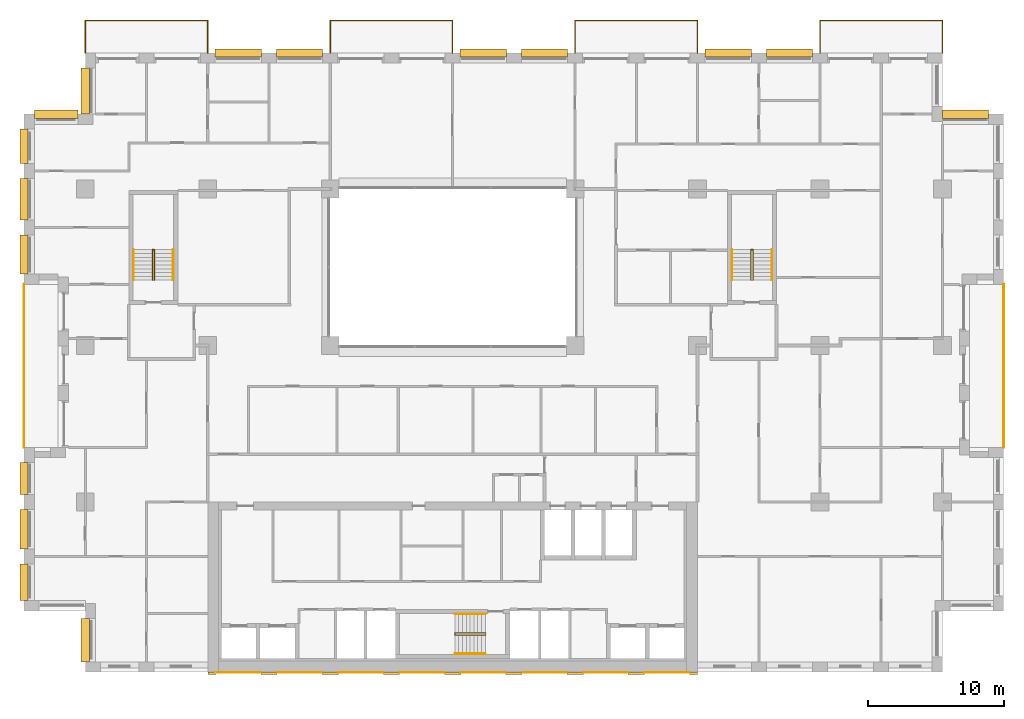
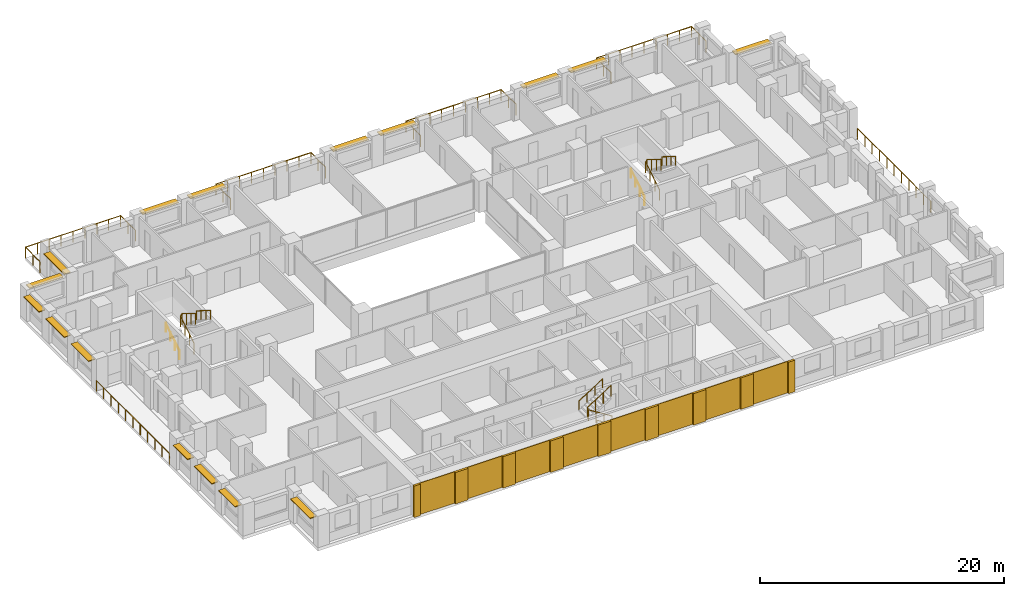
# One storey, part 16 of 16: 17 coverings, 16 shading devices, 15 railings.
"""IFC4 building model written with IfcOpenShell, lengths in metres."""

from ifc_helpers import new_model, si_unit, direction, frame, origin, origin_2d, place, context, subcontext, project, spatial, rectangle, circle, extrude, material, layer, layer_set, type_object, element, save


model = new_model("IFC4")

# Units and contexts
model_context = context("Model", 3, precision=1e-05, world=origin(), true_north=direction((0.0, 1.0)))
body_context = subcontext(model_context, "Body", "Model", "MODEL_VIEW")
ifc_project = project(units=[si_unit("LENGTHUNIT", "METRE"), si_unit("AREAUNIT", "SQUARE_METRE"), si_unit("VOLUMEUNIT", "CUBIC_METRE"), si_unit("PLANEANGLEUNIT", "RADIAN"), si_unit("MASSUNIT", "GRAM", prefix="KILO")], contexts=[model_context])

# Site, building, storey
site_placement = place(None, origin())
site = spatial("IfcSite", under=ifc_project, at=site_placement, CompositionType="ELEMENT")
building_placement = place(site_placement, origin())
building = spatial("IfcBuilding", under=site, at=building_placement, Name="Brigalow Station Residences", CompositionType="ELEMENT")
storey_placement = place(building_placement, frame((0.0, 0.0, 89.85009765625)))
storey = spatial("IfcBuildingStorey", under=building, at=storey_placement, Name="L25", CompositionType="ELEMENT", Elevation=89.85009765625)

# Railings
ifc_material_1 = material(Name="Stainless steel balustrade with laminated glass infill", Category="steel")
railing_type_1 = type_object("IfcRailingType", Name="BALCONY GUARD 1100", PredefinedType="GUARDRAIL", material=ifc_material_1)
railing_1_placement = place(storey_placement, frame((76.5, 16.5, -0.0400390625)))
element("IfcRailing", 1, at=railing_1_placement, inside=storey, type_object=railing_type_1, Name="L25/balcony-guard/1", PredefinedType="GUARDRAIL", context=body_context, shape_type="SweptSolid", body=[
    extrude(circle(Radius=0.02392578125, at=origin_2d()), frame((0.0, 0.0, 1.076171875), z_axis=(0.0, 1.0, 0.0), x_axis=(-1.0, 0.0, 0.0)), (0.0, 0.0, 1.0), 12.0),
    extrude(circle(Radius=0.02099609375, at=origin_2d()), origin(), (0.0, 0.0, 1.0), 1.052001953125),
    extrude(circle(Radius=0.02099609375, at=origin_2d()), frame((0.0, 1.199951171875, 0.0)), (0.0, 0.0, 1.0), 1.052001953125),
    extrude(circle(Radius=0.02099609375, at=origin_2d()), frame((0.0, 2.39990234375, 0.0)), (0.0, 0.0, 1.0), 1.052001953125),
    extrude(circle(Radius=0.02099609375, at=origin_2d()), frame((0.0, 3.60009765625, 0.0)), (0.0, 0.0, 1.0), 1.052001953125),
    extrude(circle(Radius=0.02099609375, at=origin_2d()), frame((0.0, 4.800048828125, 0.0)), (0.0, 0.0, 1.0), 1.052001953125),
    extrude(circle(Radius=0.02099609375, at=origin_2d()), frame((0.0, 6.0, 0.0)), (0.0, 0.0, 1.0), 1.052001953125),
    extrude(circle(Radius=0.02099609375, at=origin_2d()), frame((0.0, 7.199951171875, 0.0)), (0.0, 0.0, 1.0), 1.052001953125),
    extrude(circle(Radius=0.02099609375, at=origin_2d()), frame((0.0, 8.39990234375, 0.0)), (0.0, 0.0, 1.0), 1.052001953125),
    extrude(circle(Radius=0.02099609375, at=origin_2d()), frame((0.0, 9.60009765625, 0.0)), (0.0, 0.0, 1.0), 1.052001953125),
    extrude(circle(Radius=0.02099609375, at=origin_2d()), frame((0.0, 10.800048828125, 0.0)), (0.0, 0.0, 1.0), 1.052001953125),
    extrude(circle(Radius=0.02099609375, at=origin_2d()), frame((0.0, 12.0, 0.0)), (0.0, 0.0, 1.0), 1.052001953125),
])
railing_2_placement = place(storey_placement, frame((72.0, 45.5, -0.0400390625)))
element("IfcRailing", 2, at=railing_2_placement, inside=storey, type_object=railing_type_1, Name="L25/balcony-guard/2", PredefinedType="GUARDRAIL", context=body_context, shape_type="SweptSolid", body=[
    extrude(circle(Radius=0.02392578125, at=origin_2d()), frame((0.0, 0.0, 1.076171875), z_axis=(0.0, 1.0, 0.0), x_axis=(-1.0, 0.0, 0.0)), (0.0, 0.0, 1.0), 2.39990234375),
    extrude(circle(Radius=0.02392578125, at=origin_2d()), frame((0.0, 2.39990234375, 1.076171875), z_axis=(-1.0, 0.0, 0.0), x_axis=(0.0, -1.0, 0.0)), (0.0, 0.0, 1.0), 9.0),
    extrude(circle(Radius=0.02392578125, at=origin_2d()), frame((-9.0, 2.39990234375, 1.076171875), z_axis=(0.0, -1.0, 0.0), x_axis=(1.0, 0.0, 0.0)), (0.0, 0.0, 1.0), 2.39990234375),
    extrude(circle(Radius=0.02099609375, at=origin_2d()), origin(), (0.0, 0.0, 1.0), 1.052001953125),
    extrude(circle(Radius=0.02099609375, at=origin_2d()), frame((0.0, 1.199951171875, 0.0)), (0.0, 0.0, 1.0), 1.052001953125),
    extrude(circle(Radius=0.02099609375, at=origin_2d()), frame((0.0, 2.39990234375, 0.0)), (0.0, 0.0, 1.0), 1.052001953125),
    extrude(circle(Radius=0.02099609375, at=origin_2d()), frame((-1.125, 2.39990234375, 0.0)), (0.0, 0.0, 1.0), 1.052001953125),
    extrude(circle(Radius=0.02099609375, at=origin_2d()), frame((-2.25, 2.39990234375, 0.0)), (0.0, 0.0, 1.0), 1.052001953125),
    extrude(circle(Radius=0.02099609375, at=origin_2d()), frame((-3.375, 2.39990234375, 0.0)), (0.0, 0.0, 1.0), 1.052001953125),
    extrude(circle(Radius=0.02099609375, at=origin_2d()), frame((-4.5, 2.39990234375, 0.0)), (0.0, 0.0, 1.0), 1.052001953125),
    extrude(circle(Radius=0.02099609375, at=origin_2d()), frame((-5.625, 2.39990234375, 0.0)), (0.0, 0.0, 1.0), 1.052001953125),
    extrude(circle(Radius=0.02099609375, at=origin_2d()), frame((-6.75, 2.39990234375, 0.0)), (0.0, 0.0, 1.0), 1.052001953125),
    extrude(circle(Radius=0.02099609375, at=origin_2d()), frame((-7.875, 2.39990234375, 0.0)), (0.0, 0.0, 1.0), 1.052001953125),
    extrude(circle(Radius=0.02099609375, at=origin_2d()), frame((-9.0, 2.39990234375, 0.0)), (0.0, 0.0, 1.0), 1.052001953125),
    extrude(circle(Radius=0.02099609375, at=origin_2d()), frame((-9.0, 1.199951171875, 0.0)), (0.0, 0.0, 1.0), 1.052001953125),
    extrude(circle(Radius=0.02099609375, at=origin_2d()), frame((-9.0, 0.0, 0.0)), (0.0, 0.0, 1.0), 1.052001953125),
])
railing_3_placement = place(storey_placement, frame((54.0, 45.5, -0.0400390625)))
element("IfcRailing", 3, at=railing_3_placement, inside=storey, type_object=railing_type_1, Name="L25/balcony-guard/3", PredefinedType="GUARDRAIL", context=body_context, shape_type="SweptSolid", body=[
    extrude(circle(Radius=0.02392578125, at=origin_2d()), frame((0.0, 0.0, 1.076171875), z_axis=(0.0, 1.0, 0.0), x_axis=(-1.0, 0.0, 0.0)), (0.0, 0.0, 1.0), 2.39990234375),
    extrude(circle(Radius=0.02392578125, at=origin_2d()), frame((0.0, 2.39990234375, 1.076171875), z_axis=(-1.0, 0.0, 0.0), x_axis=(0.0, -1.0, 0.0)), (0.0, 0.0, 1.0), 9.0),
    extrude(circle(Radius=0.02392578125, at=origin_2d()), frame((-9.0, 2.39990234375, 1.076171875), z_axis=(0.0, -1.0, 0.0), x_axis=(1.0, 0.0, 0.0)), (0.0, 0.0, 1.0), 2.39990234375),
    extrude(circle(Radius=0.02099609375, at=origin_2d()), origin(), (0.0, 0.0, 1.0), 1.052001953125),
    extrude(circle(Radius=0.02099609375, at=origin_2d()), frame((0.0, 1.199951171875, 0.0)), (0.0, 0.0, 1.0), 1.052001953125),
    extrude(circle(Radius=0.02099609375, at=origin_2d()), frame((0.0, 2.39990234375, 0.0)), (0.0, 0.0, 1.0), 1.052001953125),
    extrude(circle(Radius=0.02099609375, at=origin_2d()), frame((-1.125, 2.39990234375, 0.0)), (0.0, 0.0, 1.0), 1.052001953125),
    extrude(circle(Radius=0.02099609375, at=origin_2d()), frame((-2.25, 2.39990234375, 0.0)), (0.0, 0.0, 1.0), 1.052001953125),
    extrude(circle(Radius=0.02099609375, at=origin_2d()), frame((-3.375, 2.39990234375, 0.0)), (0.0, 0.0, 1.0), 1.052001953125),
    extrude(circle(Radius=0.02099609375, at=origin_2d()), frame((-4.5, 2.39990234375, 0.0)), (0.0, 0.0, 1.0), 1.052001953125),
    extrude(circle(Radius=0.02099609375, at=origin_2d()), frame((-5.625, 2.39990234375, 0.0)), (0.0, 0.0, 1.0), 1.052001953125),
    extrude(circle(Radius=0.02099609375, at=origin_2d()), frame((-6.75, 2.39990234375, 0.0)), (0.0, 0.0, 1.0), 1.052001953125),
    extrude(circle(Radius=0.02099609375, at=origin_2d()), frame((-7.875, 2.39990234375, 0.0)), (0.0, 0.0, 1.0), 1.052001953125),
    extrude(circle(Radius=0.02099609375, at=origin_2d()), frame((-9.0, 2.39990234375, 0.0)), (0.0, 0.0, 1.0), 1.052001953125),
    extrude(circle(Radius=0.02099609375, at=origin_2d()), frame((-9.0, 1.199951171875, 0.0)), (0.0, 0.0, 1.0), 1.052001953125),
    extrude(circle(Radius=0.02099609375, at=origin_2d()), frame((-9.0, 0.0, 0.0)), (0.0, 0.0, 1.0), 1.052001953125),
])
railing_4_placement = place(storey_placement, frame((36.0, 45.5, -0.0400390625)))
element("IfcRailing", 4, at=railing_4_placement, inside=storey, type_object=railing_type_1, Name="L25/balcony-guard/4", PredefinedType="GUARDRAIL", context=body_context, shape_type="SweptSolid", body=[
    extrude(circle(Radius=0.02392578125, at=origin_2d()), frame((0.0, 0.0, 1.076171875), z_axis=(0.0, 1.0, 0.0), x_axis=(-1.0, 0.0, 0.0)), (0.0, 0.0, 1.0), 2.39990234375),
    extrude(circle(Radius=0.02392578125, at=origin_2d()), frame((0.0, 2.39990234375, 1.076171875), z_axis=(-1.0, 0.0, 0.0), x_axis=(0.0, -1.0, 0.0)), (0.0, 0.0, 1.0), 9.0),
    extrude(circle(Radius=0.02392578125, at=origin_2d()), frame((-9.0, 2.39990234375, 1.076171875), z_axis=(0.0, -1.0, 0.0), x_axis=(1.0, 0.0, 0.0)), (0.0, 0.0, 1.0), 2.39990234375),
    extrude(circle(Radius=0.02099609375, at=origin_2d()), origin(), (0.0, 0.0, 1.0), 1.052001953125),
    extrude(circle(Radius=0.02099609375, at=origin_2d()), frame((0.0, 1.199951171875, 0.0)), (0.0, 0.0, 1.0), 1.052001953125),
    extrude(circle(Radius=0.02099609375, at=origin_2d()), frame((0.0, 2.39990234375, 0.0)), (0.0, 0.0, 1.0), 1.052001953125),
    extrude(circle(Radius=0.02099609375, at=origin_2d()), frame((-1.125, 2.39990234375, 0.0)), (0.0, 0.0, 1.0), 1.052001953125),
    extrude(circle(Radius=0.02099609375, at=origin_2d()), frame((-2.25, 2.39990234375, 0.0)), (0.0, 0.0, 1.0), 1.052001953125),
    extrude(circle(Radius=0.02099609375, at=origin_2d()), frame((-3.375, 2.39990234375, 0.0)), (0.0, 0.0, 1.0), 1.052001953125),
    extrude(circle(Radius=0.02099609375, at=origin_2d()), frame((-4.5, 2.39990234375, 0.0)), (0.0, 0.0, 1.0), 1.052001953125),
    extrude(circle(Radius=0.02099609375, at=origin_2d()), frame((-5.625, 2.39990234375, 0.0)), (0.0, 0.0, 1.0), 1.052001953125),
    extrude(circle(Radius=0.02099609375, at=origin_2d()), frame((-6.75, 2.39990234375, 0.0)), (0.0, 0.0, 1.0), 1.052001953125),
    extrude(circle(Radius=0.02099609375, at=origin_2d()), frame((-7.875, 2.39990234375, 0.0)), (0.0, 0.0, 1.0), 1.052001953125),
    extrude(circle(Radius=0.02099609375, at=origin_2d()), frame((-9.0, 2.39990234375, 0.0)), (0.0, 0.0, 1.0), 1.052001953125),
    extrude(circle(Radius=0.02099609375, at=origin_2d()), frame((-9.0, 1.199951171875, 0.0)), (0.0, 0.0, 1.0), 1.052001953125),
    extrude(circle(Radius=0.02099609375, at=origin_2d()), frame((-9.0, 0.0, 0.0)), (0.0, 0.0, 1.0), 1.052001953125),
])
railing_5_placement = place(storey_placement, frame((18.0, 45.5, -0.0400390625)))
element("IfcRailing", 5, at=railing_5_placement, inside=storey, type_object=railing_type_1, Name="L25/balcony-guard/5", PredefinedType="GUARDRAIL", context=body_context, shape_type="SweptSolid", body=[
    extrude(circle(Radius=0.02392578125, at=origin_2d()), frame((0.0, 0.0, 1.076171875), z_axis=(0.0, 1.0, 0.0), x_axis=(-1.0, 0.0, 0.0)), (0.0, 0.0, 1.0), 2.39990234375),
    extrude(circle(Radius=0.02392578125, at=origin_2d()), frame((0.0, 2.39990234375, 1.076171875), z_axis=(-1.0, 0.0, 0.0), x_axis=(0.0, -1.0, 0.0)), (0.0, 0.0, 1.0), 9.0),
    extrude(circle(Radius=0.02392578125, at=origin_2d()), frame((-9.0, 2.39990234375, 1.076171875), z_axis=(0.0, -1.0, 0.0), x_axis=(1.0, 0.0, 0.0)), (0.0, 0.0, 1.0), 2.39990234375),
    extrude(circle(Radius=0.02099609375, at=origin_2d()), origin(), (0.0, 0.0, 1.0), 1.052001953125),
    extrude(circle(Radius=0.02099609375, at=origin_2d()), frame((0.0, 1.199951171875, 0.0)), (0.0, 0.0, 1.0), 1.052001953125),
    extrude(circle(Radius=0.02099609375, at=origin_2d()), frame((0.0, 2.39990234375, 0.0)), (0.0, 0.0, 1.0), 1.052001953125),
    extrude(circle(Radius=0.02099609375, at=origin_2d()), frame((-1.125, 2.39990234375, 0.0)), (0.0, 0.0, 1.0), 1.052001953125),
    extrude(circle(Radius=0.02099609375, at=origin_2d()), frame((-2.25, 2.39990234375, 0.0)), (0.0, 0.0, 1.0), 1.052001953125),
    extrude(circle(Radius=0.02099609375, at=origin_2d()), frame((-3.375, 2.39990234375, 0.0)), (0.0, 0.0, 1.0), 1.052001953125),
    extrude(circle(Radius=0.02099609375, at=origin_2d()), frame((-4.5, 2.39990234375, 0.0)), (0.0, 0.0, 1.0), 1.052001953125),
    extrude(circle(Radius=0.02099609375, at=origin_2d()), frame((-5.625, 2.39990234375, 0.0)), (0.0, 0.0, 1.0), 1.052001953125),
    extrude(circle(Radius=0.02099609375, at=origin_2d()), frame((-6.75, 2.39990234375, 0.0)), (0.0, 0.0, 1.0), 1.052001953125),
    extrude(circle(Radius=0.02099609375, at=origin_2d()), frame((-7.875, 2.39990234375, 0.0)), (0.0, 0.0, 1.0), 1.052001953125),
    extrude(circle(Radius=0.02099609375, at=origin_2d()), frame((-9.0, 2.39990234375, 0.0)), (0.0, 0.0, 1.0), 1.052001953125),
    extrude(circle(Radius=0.02099609375, at=origin_2d()), frame((-9.0, 1.199951171875, 0.0)), (0.0, 0.0, 1.0), 1.052001953125),
    extrude(circle(Radius=0.02099609375, at=origin_2d()), frame((-9.0, 0.0, 0.0)), (0.0, 0.0, 1.0), 1.052001953125),
])
railing_6_placement = place(storey_placement, frame((4.5, 28.5, -0.0400390625)))
element("IfcRailing", 6, at=railing_6_placement, inside=storey, type_object=railing_type_1, Name="L25/balcony-guard/6", PredefinedType="GUARDRAIL", context=body_context, shape_type="SweptSolid", body=[
    extrude(circle(Radius=0.02392578125, at=origin_2d()), frame((0.0, 0.0, 1.076171875), z_axis=(0.0, -1.0, 0.0), x_axis=(1.0, 0.0, 0.0)), (0.0, 0.0, 1.0), 12.0),
    extrude(circle(Radius=0.02099609375, at=origin_2d()), origin(), (0.0, 0.0, 1.0), 1.052001953125),
    extrude(circle(Radius=0.02099609375, at=origin_2d()), frame((0.0, -1.199951171875, 0.0)), (0.0, 0.0, 1.0), 1.052001953125),
    extrude(circle(Radius=0.02099609375, at=origin_2d()), frame((0.0, -2.39990234375, 0.0)), (0.0, 0.0, 1.0), 1.052001953125),
    extrude(circle(Radius=0.02099609375, at=origin_2d()), frame((0.0, -3.60009765625, 0.0)), (0.0, 0.0, 1.0), 1.052001953125),
    extrude(circle(Radius=0.02099609375, at=origin_2d()), frame((0.0, -4.800048828125, 0.0)), (0.0, 0.0, 1.0), 1.052001953125),
    extrude(circle(Radius=0.02099609375, at=origin_2d()), frame((0.0, -6.0, 0.0)), (0.0, 0.0, 1.0), 1.052001953125),
    extrude(circle(Radius=0.02099609375, at=origin_2d()), frame((0.0, -7.199951171875, 0.0)), (0.0, 0.0, 1.0), 1.052001953125),
    extrude(circle(Radius=0.02099609375, at=origin_2d()), frame((0.0, -8.39990234375, 0.0)), (0.0, 0.0, 1.0), 1.052001953125),
    extrude(circle(Radius=0.02099609375, at=origin_2d()), frame((0.0, -9.60009765625, 0.0)), (0.0, 0.0, 1.0), 1.052001953125),
    extrude(circle(Radius=0.02099609375, at=origin_2d()), frame((0.0, -10.800048828125, 0.0)), (0.0, 0.0, 1.0), 1.052001953125),
    extrude(circle(Radius=0.02099609375, at=origin_2d()), frame((0.0, -12.0, 0.0)), (0.0, 0.0, 1.0), 1.052001953125),
])

# Coverings
ifc_material_2 = material(Name="Clay brick masonry", Category="masonry")
ifc_layer_1 = layer(ifc_material_2, 0.06005859375)
ifc_layer_set_1 = layer_set([ifc_layer_1], Name="BRICK PANEL FACING 60")
covering_type_1 = type_object("IfcCoveringType", Name="BRICK PANEL FACING 60", PredefinedType="CLADDING", material=ifc_layer_set_1)
for number, where, z_axis, x_axis, name in (
    (7, (20.25, -0.030029296875, 0.0), (0.0, 0.0, 1.0), (1.0, 0.0, 0.0), "L25/rear-facing/panel-1"),
    (8, (24.75, -0.030029296875, 0.0), (0.0, 0.0, 1.0), (1.0, 0.0, 0.0), "L25/rear-facing/panel-2"),
    (9, (29.25, -0.030029296875, 0.0), (0.0, 0.0, 1.0), (1.0, 0.0, 0.0), "L25/rear-facing/panel-3"),
    (10, (33.75, -0.030029296875, 0.0), (0.0, 0.0, 1.0), (1.0, 0.0, 0.0), "L25/rear-facing/panel-4"),
    (11, (38.25, -0.030029296875, 0.0), (0.0, 0.0, 1.0), (1.0, 0.0, 0.0), "L25/rear-facing/panel-5"),
    (12, (42.75, -0.030029296875, 0.0), (0.0, 0.0, 1.0), (1.0, 0.0, 0.0), "L25/rear-facing/panel-6"),
    (13, (47.25, -0.030029296875, 0.0), (0.0, 0.0, 1.0), (1.0, 0.0, 0.0), "L25/rear-facing/panel-7"),
    (14, (51.75, -0.030029296875, 0.0), (0.0, 0.0, 1.0), (1.0, 0.0, 0.0), "L25/rear-facing/panel-8"),
):
    element("IfcCovering", number, at=place(storey_placement, frame(where, z_axis=z_axis, x_axis=x_axis)), inside=storey, type_object=covering_type_1, Name=name, PredefinedType="CLADDING", context=body_context, shape_type="SweptSolid", body=[
        extrude(rectangle(XDim=3.300048828125, YDim=0.06005859375, at=origin_2d()), origin(), (0.0, 0.0, 1.0), 3.14990234375),
    ])
ifc_material_3 = material(Name="Clay brick masonry", Category="masonry")
ifc_layer_2 = layer(ifc_material_3, 0.199951171875)
ifc_layer_set_2 = layer_set([ifc_layer_2], Name="BRICK PIER FACING 200")
covering_type_2 = type_object("IfcCoveringType", Name="BRICK PIER FACING 200", PredefinedType="CLADDING", material=ifc_layer_set_2)
covering_1_placement = place(storey_placement, frame((18.300048828125, -0.10009765625, 0.0), z_axis=(0.0, 0.0, 1.0), x_axis=(1.0, 0.0, 0.0)))
element("IfcCovering", 15, at=covering_1_placement, inside=storey, type_object=covering_type_2, Name="L25/rear-facing/pier-1", PredefinedType="CLADDING", context=body_context, shape_type="SweptSolid", body=[
    extrude(rectangle(XDim=0.60009765625, YDim=0.199951171875, at=origin_2d()), origin(), (0.0, 0.0, 1.0), 3.14990234375),
])
for number, where, z_axis, x_axis, name in (
    (16, (22.5, -0.10009765625, 0.0), (0.0, 0.0, 1.0), (1.0, 0.0, 0.0), "L25/rear-facing/pier-2"),
    (17, (27.0, -0.10009765625, 0.0), (0.0, 0.0, 1.0), (1.0, 0.0, 0.0), "L25/rear-facing/pier-3"),
    (18, (31.5, -0.10009765625, 0.0), (0.0, 0.0, 1.0), (1.0, 0.0, 0.0), "L25/rear-facing/pier-4"),
    (19, (36.0, -0.10009765625, 0.0), (0.0, 0.0, 1.0), (1.0, 0.0, 0.0), "L25/rear-facing/pier-5"),
    (20, (40.5, -0.10009765625, 0.0), (0.0, 0.0, 1.0), (1.0, 0.0, 0.0), "L25/rear-facing/pier-6"),
    (21, (45.0, -0.10009765625, 0.0), (0.0, 0.0, 1.0), (1.0, 0.0, 0.0), "L25/rear-facing/pier-7"),
    (22, (49.5, -0.10009765625, 0.0), (0.0, 0.0, 1.0), (1.0, 0.0, 0.0), "L25/rear-facing/pier-8"),
):
    element("IfcCovering", number, at=place(storey_placement, frame(where, z_axis=z_axis, x_axis=x_axis)), inside=storey, type_object=covering_type_2, Name=name, PredefinedType="CLADDING", context=body_context, shape_type="SweptSolid", body=[
        extrude(rectangle(XDim=1.199951171875, YDim=0.199951171875, at=origin_2d()), origin(), (0.0, 0.0, 1.0), 3.14990234375),
    ])
covering_2_placement = place(storey_placement, frame((53.699951171875, -0.10009765625, 0.0), z_axis=(0.0, 0.0, 1.0), x_axis=(1.0, 0.0, 0.0)))
element("IfcCovering", 23, at=covering_2_placement, inside=storey, type_object=covering_type_2, Name="L25/rear-facing/pier-9", PredefinedType="CLADDING", context=body_context, shape_type="SweptSolid", body=[
    extrude(rectangle(XDim=0.60009765625, YDim=0.199951171875, at=origin_2d()), origin(), (0.0, 0.0, 1.0), 3.14990234375),
])

# Railings
ifc_material_4 = material(Name="Stainless steel balustrade", Category="steel")
railing_type_2 = type_object("IfcRailingType", Name="STAIR GUARD 1100", PredefinedType="GUARDRAIL", material=ifc_material_4)
railing_7_placement = place(storey_placement, frame((38.39990234375, 2.72998046875, 0.1748046875)))
element("IfcRailing", 24, at=railing_7_placement, inside=storey, type_object=railing_type_2, Name="GUARD GR-2", PredefinedType="GUARDRAIL", context=body_context, shape_type="SweptSolid", body=[
    extrude(circle(Radius=0.02392578125, at=origin_2d()), frame((0.0, 0.0, 1.076171875), z_axis=(-0.847972341737, 0.0, 0.530040477369), x_axis=(0.0, -1.0, 0.0)), (0.0, 0.0, 1.0), 2.6416015625),
    extrude(circle(Radius=0.02392578125, at=origin_2d()), frame((-2.239990234375, 0.0, 2.47607421875), z_axis=(0.0, 0.624960567888, 0.780656319122), x_axis=(-1.0, 0.0, 0.0)), (0.0, 0.0, 1.0), 0.22412109375),
    extrude(circle(Radius=0.02392578125, at=origin_2d()), frame((-2.239990234375, 0.14013671875, 2.6513671875), z_axis=(0.848013881152, 0.0, 0.529974015752), x_axis=(0.0, 1.0, 0.0)), (0.0, 0.0, 1.0), 2.641357421875),
    extrude(circle(Radius=0.02099609375, at=origin_2d()), origin(), (0.0, 0.0, 1.0), 1.052001953125),
    extrude(circle(Radius=0.02099609375, at=origin_2d()), frame((-0.74658203125, 0.0, 0.466796875)), (0.0, 0.0, 1.0), 1.052001953125),
    extrude(circle(Radius=0.02099609375, at=origin_2d()), frame((-1.493408203125, 0.0, 0.933349609375)), (0.0, 0.0, 1.0), 1.052001953125),
    extrude(circle(Radius=0.02099609375, at=origin_2d()), frame((-2.239990234375, 0.0, 1.400146484375)), (0.0, 0.0, 1.0), 1.052001953125),
    extrude(circle(Radius=0.02099609375, at=origin_2d()), frame((-2.239990234375, 0.14013671875, 1.5751953125)), (0.0, 0.0, 1.0), 1.052001953125),
    extrude(circle(Radius=0.02099609375, at=origin_2d()), frame((-1.493408203125, 0.14013671875, 2.041748046875)), (0.0, 0.0, 1.0), 1.052001953125),
    extrude(circle(Radius=0.02099609375, at=origin_2d()), frame((-0.74658203125, 0.14013671875, 2.508544921875)), (0.0, 0.0, 1.0), 1.052001953125),
    extrude(circle(Radius=0.02099609375, at=origin_2d()), frame((0.0, 0.14013671875, 2.97509765625)), (0.0, 0.0, 1.0), 1.052001953125),
])
for number, where, name in (
    (25, (13.929931640625, 28.800048828125, 0.1748046875), "GUARD GR-1"),
    (26, (57.929931640625, 28.800048828125, 0.1748046875), "GUARD GR-3"),
):
    element("IfcRailing", number, at=place(storey_placement, frame(where)), inside=storey, type_object=railing_type_2, Name=name, PredefinedType="GUARDRAIL", context=body_context, shape_type="SweptSolid", body=[
        extrude(circle(Radius=0.02392578125, at=origin_2d()), frame((0.0, 0.0, 1.076171875), z_axis=(0.0, 0.847972341737, 0.530040477369), x_axis=(-1.0, 0.0, 0.0)), (0.0, 0.0, 1.0), 2.6416015625),
        extrude(circle(Radius=0.02392578125, at=origin_2d()), frame((0.0, 2.239990234375, 2.47607421875), z_axis=(0.624960567888, 0.0, 0.780656319122), x_axis=(0.0, 1.0, 0.0)), (0.0, 0.0, 1.0), 0.22412109375),
        extrude(circle(Radius=0.02392578125, at=origin_2d()), frame((0.14013671875, 2.239990234375, 2.6513671875), z_axis=(0.0, -0.848013881152, 0.529974015752), x_axis=(1.0, 0.0, 0.0)), (0.0, 0.0, 1.0), 2.641357421875),
        extrude(circle(Radius=0.02099609375, at=origin_2d()), origin(), (0.0, 0.0, 1.0), 1.052001953125),
        extrude(circle(Radius=0.02099609375, at=origin_2d()), frame((0.0, 0.74658203125, 0.466796875)), (0.0, 0.0, 1.0), 1.052001953125),
        extrude(circle(Radius=0.02099609375, at=origin_2d()), frame((0.0, 1.493408203125, 0.933349609375)), (0.0, 0.0, 1.0), 1.052001953125),
        extrude(circle(Radius=0.02099609375, at=origin_2d()), frame((0.0, 2.239990234375, 1.400146484375)), (0.0, 0.0, 1.0), 1.052001953125),
        extrude(circle(Radius=0.02099609375, at=origin_2d()), frame((0.14013671875, 2.239990234375, 1.5751953125)), (0.0, 0.0, 1.0), 1.052001953125),
        extrude(circle(Radius=0.02099609375, at=origin_2d()), frame((0.14013671875, 1.493408203125, 2.041748046875)), (0.0, 0.0, 1.0), 1.052001953125),
        extrude(circle(Radius=0.02099609375, at=origin_2d()), frame((0.14013671875, 0.74658203125, 2.508544921875)), (0.0, 0.0, 1.0), 1.052001953125),
        extrude(circle(Radius=0.02099609375, at=origin_2d()), frame((0.14013671875, 0.0, 2.97509765625)), (0.0, 0.0, 1.0), 1.052001953125),
    ])
ifc_material_5 = material(Name="Stainless steel handrail", Category="steel")
railing_type_3 = type_object("IfcRailingType", Name="STAIR HANDRAIL 900", PredefinedType="HANDRAIL", material=ifc_material_5)
railing_8_placement = place(storey_placement, frame((38.39990234375, 1.340087890625, 0.1748046875)))
element("IfcRailing", 27, at=railing_8_placement, inside=storey, type_object=railing_type_3, Name="HANDRAIL HR-21", PredefinedType="HANDRAIL", context=body_context, shape_type="SweptSolid", body=[
    extrude(circle(Radius=0.02392578125, at=origin_2d()), frame((0.0, 0.0, 0.8759765625), z_axis=(-0.847972341737, 0.0, 0.530040477369), x_axis=(0.0, -1.0, 0.0)), (0.0, 0.0, 1.0), 2.6416015625),
    extrude(circle(Radius=0.02099609375, at=origin_2d()), origin(), (0.0, 0.0, 1.0), 0.851806640625),
    extrude(circle(Radius=0.02099609375, at=origin_2d()), frame((-0.74658203125, 0.0, 0.466796875)), (0.0, 0.0, 1.0), 0.851806640625),
    extrude(circle(Radius=0.02099609375, at=origin_2d()), frame((-1.493408203125, 0.0, 0.933349609375)), (0.0, 0.0, 1.0), 0.851806640625),
    extrude(circle(Radius=0.02099609375, at=origin_2d()), frame((-2.239990234375, 0.0, 1.400146484375)), (0.0, 0.0, 1.0), 0.851806640625),
])
railing_9_placement = place(storey_placement, frame((36.159912109375, 4.260009765625, 1.75)))
element("IfcRailing", 28, at=railing_9_placement, inside=storey, type_object=railing_type_3, Name="HANDRAIL HR-22", PredefinedType="HANDRAIL", context=body_context, shape_type="SweptSolid", body=[
    extrude(circle(Radius=0.02392578125, at=origin_2d()), frame((0.0, 0.0, 0.8759765625), z_axis=(0.848013881152, 0.0, 0.529974015752), x_axis=(0.0, 1.0, 0.0)), (0.0, 0.0, 1.0), 2.641357421875),
    extrude(circle(Radius=0.02099609375, at=origin_2d()), origin(), (0.0, 0.0, 1.0), 0.851806640625),
    extrude(circle(Radius=0.02099609375, at=origin_2d()), frame((0.74658203125, 0.0, 0.466552734375)), (0.0, 0.0, 1.0), 0.851806640625),
    extrude(circle(Radius=0.02099609375, at=origin_2d()), frame((1.493408203125, 0.0, 0.933349609375)), (0.0, 0.0, 1.0), 0.851806640625),
    extrude(circle(Radius=0.02099609375, at=origin_2d()), frame((2.239990234375, 0.0, 1.39990234375)), (0.0, 0.0, 1.0), 0.851806640625),
])
railing_10_placement = place(storey_placement, frame((12.5400390625, 28.800048828125, 0.1748046875)))
element("IfcRailing", 29, at=railing_10_placement, inside=storey, type_object=railing_type_3, Name="HANDRAIL HR-11", PredefinedType="HANDRAIL", context=body_context, shape_type="SweptSolid", body=[
    extrude(circle(Radius=0.02392578125, at=origin_2d()), frame((0.0, 0.0, 0.8759765625), z_axis=(0.0, 0.847972341737, 0.530040477369), x_axis=(-1.0, 0.0, 0.0)), (0.0, 0.0, 1.0), 2.6416015625),
    extrude(circle(Radius=0.02099609375, at=origin_2d()), origin(), (0.0, 0.0, 1.0), 0.851806640625),
    extrude(circle(Radius=0.02099609375, at=origin_2d()), frame((0.0, 0.74658203125, 0.466796875)), (0.0, 0.0, 1.0), 0.851806640625),
    extrude(circle(Radius=0.02099609375, at=origin_2d()), frame((0.0, 1.493408203125, 0.933349609375)), (0.0, 0.0, 1.0), 0.851806640625),
    extrude(circle(Radius=0.02099609375, at=origin_2d()), frame((0.0, 2.239990234375, 1.400146484375)), (0.0, 0.0, 1.0), 0.851806640625),
])
railing_11_placement = place(storey_placement, frame((15.4599609375, 31.0400390625, 1.75)))
element("IfcRailing", 30, at=railing_11_placement, inside=storey, type_object=railing_type_3, Name="HANDRAIL HR-12", PredefinedType="HANDRAIL", context=body_context, shape_type="SweptSolid", body=[
    extrude(circle(Radius=0.02392578125, at=origin_2d()), frame((0.0, 0.0, 0.8759765625), z_axis=(0.0, -0.848013881152, 0.529974015752), x_axis=(1.0, 0.0, 0.0)), (0.0, 0.0, 1.0), 2.641357421875),
    extrude(circle(Radius=0.02099609375, at=origin_2d()), origin(), (0.0, 0.0, 1.0), 0.851806640625),
    extrude(circle(Radius=0.02099609375, at=origin_2d()), frame((0.0, -0.74658203125, 0.466552734375)), (0.0, 0.0, 1.0), 0.851806640625),
    extrude(circle(Radius=0.02099609375, at=origin_2d()), frame((0.0, -1.493408203125, 0.933349609375)), (0.0, 0.0, 1.0), 0.851806640625),
    extrude(circle(Radius=0.02099609375, at=origin_2d()), frame((0.0, -2.239990234375, 1.39990234375)), (0.0, 0.0, 1.0), 0.851806640625),
])
railing_12_placement = place(storey_placement, frame((56.5400390625, 28.800048828125, 0.1748046875)))
element("IfcRailing", 31, at=railing_12_placement, inside=storey, type_object=railing_type_3, Name="HANDRAIL HR-31", PredefinedType="HANDRAIL", context=body_context, shape_type="SweptSolid", body=[
    extrude(circle(Radius=0.02392578125, at=origin_2d()), frame((0.0, 0.0, 0.8759765625), z_axis=(0.0, 0.847972341737, 0.530040477369), x_axis=(-1.0, 0.0, 0.0)), (0.0, 0.0, 1.0), 2.6416015625),
    extrude(circle(Radius=0.02099609375, at=origin_2d()), origin(), (0.0, 0.0, 1.0), 0.851806640625),
    extrude(circle(Radius=0.02099609375, at=origin_2d()), frame((0.0, 0.74658203125, 0.466796875)), (0.0, 0.0, 1.0), 0.851806640625),
    extrude(circle(Radius=0.02099609375, at=origin_2d()), frame((0.0, 1.493408203125, 0.933349609375)), (0.0, 0.0, 1.0), 0.851806640625),
    extrude(circle(Radius=0.02099609375, at=origin_2d()), frame((0.0, 2.239990234375, 1.400146484375)), (0.0, 0.0, 1.0), 0.851806640625),
])
railing_13_placement = place(storey_placement, frame((59.4599609375, 31.0400390625, 1.75)))
element("IfcRailing", 32, at=railing_13_placement, inside=storey, type_object=railing_type_3, Name="HANDRAIL HR-32", PredefinedType="HANDRAIL", context=body_context, shape_type="SweptSolid", body=[
    extrude(circle(Radius=0.02392578125, at=origin_2d()), frame((0.0, 0.0, 0.8759765625), z_axis=(0.0, -0.848013881152, 0.529974015752), x_axis=(1.0, 0.0, 0.0)), (0.0, 0.0, 1.0), 2.641357421875),
    extrude(circle(Radius=0.02099609375, at=origin_2d()), origin(), (0.0, 0.0, 1.0), 0.851806640625),
    extrude(circle(Radius=0.02099609375, at=origin_2d()), frame((0.0, -0.74658203125, 0.466552734375)), (0.0, 0.0, 1.0), 0.851806640625),
    extrude(circle(Radius=0.02099609375, at=origin_2d()), frame((0.0, -1.493408203125, 0.933349609375)), (0.0, 0.0, 1.0), 0.851806640625),
    extrude(circle(Radius=0.02099609375, at=origin_2d()), frame((0.0, -2.239990234375, 1.39990234375)), (0.0, 0.0, 1.0), 0.851806640625),
])

# Shading devices
ifc_material_6 = material(Name="Powder-coated extruded aluminium blade", Category="aluminium")
ifc_layer_3 = layer(ifc_material_6, 0.080078125)
ifc_layer_set_3 = layer_set([ifc_layer_3], Name="SUNSHADE BLADE 600x80")
shading_device_type = type_object("IfcShadingDeviceType", Name="SUNSHADE BLADE 600x80", PredefinedType="JALOUSIE", material=ifc_layer_set_3)
for number, where, z_axis, x_axis, name in (
    (33, (73.699951171875, 41.0, 2.5498046875), (0.0, 0.0, 1.0), (-1.0, 0.0, 0.0), "L25/blade/W-L25-21"),
    (34, (60.75, 45.5, 2.5498046875), (0.0, 0.0, 1.0), (-1.0, 0.0, 0.0), "L25/blade/W-L25-25"),
    (35, (56.25, 45.5, 2.5498046875), (0.0, 0.0, 1.0), (-1.0, 0.0, 0.0), "L25/blade/W-L25-26"),
    (36, (42.75, 45.5, 2.5498046875), (0.0, 0.0, 1.0), (-1.0, 0.0, 0.0), "L25/blade/W-L25-29"),
    (37, (38.25, 45.5, 2.5498046875), (0.0, 0.0, 1.0), (-1.0, 0.0, 0.0), "L25/blade/W-L25-30"),
    (38, (24.75, 45.5, 2.5498046875), (0.0, 0.0, 1.0), (-1.0, 0.0, 0.0), "L25/blade/W-L25-33"),
    (39, (20.25, 45.5, 2.5498046875), (0.0, 0.0, 1.0), (-1.0, 0.0, 0.0), "L25/blade/W-L25-34"),
    (40, (9.0, 42.699951171875, 2.5498046875), (0.0, 0.0, 1.0), (0.0, -1.0, 0.0), "L25/blade/W-L25-37"),
):
    element("IfcShadingDevice", number, at=place(storey_placement, frame(where, z_axis=z_axis, x_axis=x_axis)), inside=storey, type_object=shading_device_type, Name=name, PredefinedType="JALOUSIE", context=body_context, shape_type="SweptSolid", body=[
        extrude(rectangle(XDim=3.39990234375, YDim=0.60009765625, at=origin_2d()), origin(), (0.0, 0.0, 1.0), 0.080078125),
    ])
shading_device_1_placement = place(storey_placement, frame((6.85009765625, 41.0, 2.5498046875), z_axis=(0.0, 0.0, 1.0), x_axis=(-1.0, 0.0, 0.0)))
element("IfcShadingDevice", 41, at=shading_device_1_placement, inside=storey, type_object=shading_device_type, Name="L25/blade/W-L25-38", PredefinedType="JALOUSIE", context=body_context, shape_type="SweptSolid", body=[
    extrude(rectangle(XDim=3.199951171875, YDim=0.60009765625, at=origin_2d()), origin(), (0.0, 0.0, 1.0), 0.080078125),
])
shading_device_2_placement = place(storey_placement, frame((4.5, 38.6416015625, 2.5498046875), z_axis=(0.0, 0.0, 1.0), x_axis=(0.0, -1.0, 0.0)))
element("IfcShadingDevice", 42, at=shading_device_2_placement, inside=storey, type_object=shading_device_type, Name="L25/blade/W-L25-39", PredefinedType="JALOUSIE", context=body_context, shape_type="SweptSolid", body=[
    extrude(rectangle(XDim=2.51708984375, YDim=0.60009765625, at=origin_2d()), origin(), (0.0, 0.0, 1.0), 0.080078125),
])
shading_device_3_placement = place(storey_placement, frame((4.5, 34.75, 2.5498046875), z_axis=(0.0, 0.0, 1.0), x_axis=(0.0, -1.0, 0.0)))
element("IfcShadingDevice", 43, at=shading_device_3_placement, inside=storey, type_object=shading_device_type, Name="L25/blade/W-L25-40", PredefinedType="JALOUSIE", context=body_context, shape_type="SweptSolid", body=[
    extrude(rectangle(XDim=3.06591796875, YDim=0.60009765625, at=origin_2d()), origin(), (0.0, 0.0, 1.0), 0.080078125),
])
shading_device_4_placement = place(storey_placement, frame((4.5, 30.68359375, 2.5498046875), z_axis=(0.0, 0.0, 1.0), x_axis=(0.0, -1.0, 0.0)))
element("IfcShadingDevice", 44, at=shading_device_4_placement, inside=storey, type_object=shading_device_type, Name="L25/blade/W-L25-41", PredefinedType="JALOUSIE", context=body_context, shape_type="SweptSolid", body=[
    extrude(rectangle(XDim=2.866943359375, YDim=0.60009765625, at=origin_2d()), origin(), (0.0, 0.0, 1.0), 0.080078125),
])
shading_device_5_placement = place(storey_placement, frame((4.5, 14.22509765625, 2.5498046875), z_axis=(0.0, 0.0, 1.0), x_axis=(0.0, -1.0, 0.0)))
element("IfcShadingDevice", 45, at=shading_device_5_placement, inside=storey, type_object=shading_device_type, Name="L25/blade/W-L25-47", PredefinedType="JALOUSIE", context=body_context, shape_type="SweptSolid", body=[
    extrude(rectangle(XDim=2.35009765625, YDim=0.60009765625, at=origin_2d()), origin(), (0.0, 0.0, 1.0), 0.080078125),
])
shading_device_6_placement = place(storey_placement, frame((4.5, 10.5, 2.5498046875), z_axis=(0.0, 0.0, 1.0), x_axis=(0.0, -1.0, 0.0)))
element("IfcShadingDevice", 46, at=shading_device_6_placement, inside=storey, type_object=shading_device_type, Name="L25/blade/W-L25-48", PredefinedType="JALOUSIE", context=body_context, shape_type="SweptSolid", body=[
    extrude(rectangle(XDim=2.89990234375, YDim=0.60009765625, at=origin_2d()), origin(), (0.0, 0.0, 1.0), 0.080078125),
])
shading_device_7_placement = place(storey_placement, frame((4.5, 6.60009765625, 2.5498046875), z_axis=(0.0, 0.0, 1.0), x_axis=(0.0, -1.0, 0.0)))
element("IfcShadingDevice", 47, at=shading_device_7_placement, inside=storey, type_object=shading_device_type, Name="L25/blade/W-L25-49", PredefinedType="JALOUSIE", context=body_context, shape_type="SweptSolid", body=[
    extrude(rectangle(XDim=2.699951171875, YDim=0.60009765625, at=origin_2d()), origin(), (0.0, 0.0, 1.0), 0.080078125),
])
shading_device_8_placement = place(storey_placement, frame((9.0, 2.35009765625, 2.5498046875), z_axis=(0.0, 0.0, 1.0), x_axis=(0.0, -1.0, 0.0)))
element("IfcShadingDevice", 48, at=shading_device_8_placement, inside=storey, type_object=shading_device_type, Name="L25/blade/W-L25-51", PredefinedType="JALOUSIE", context=body_context, shape_type="SweptSolid", body=[
    extrude(rectangle(XDim=3.199951171875, YDim=0.60009765625, at=origin_2d()), origin(), (0.0, 0.0, 1.0), 0.080078125),
])

save(model, "model.ifc")
